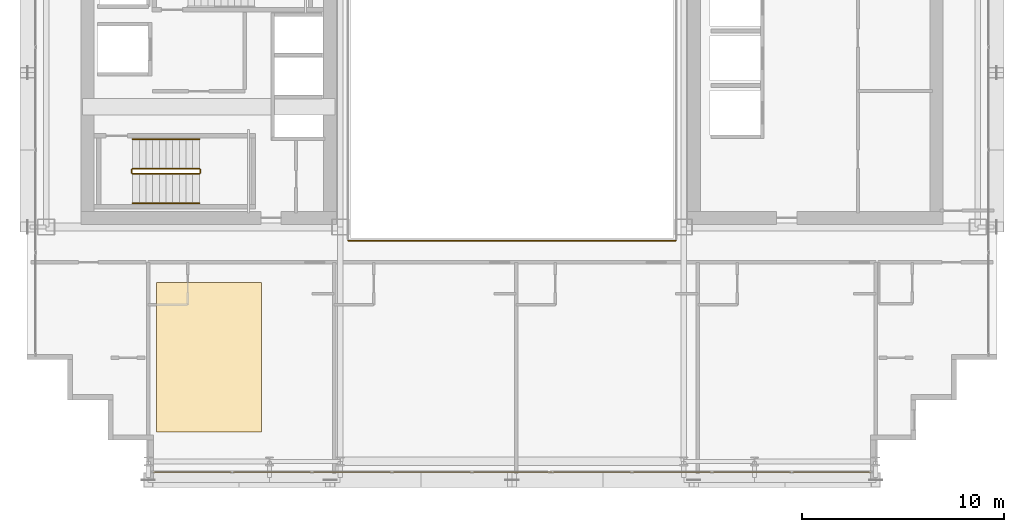
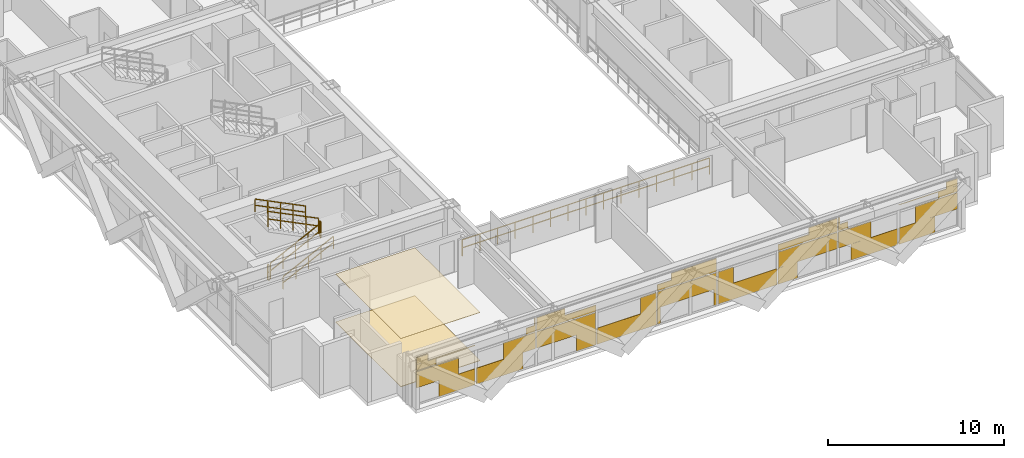
# One storey, part 32 of 35: 7 railings, 3 coverings.
"""IFC4 building model written with IfcOpenShell, lengths in metres."""

from ifc_helpers import new_model, si_unit, direction, frame, origin, origin_2d, place, context, subcontext, project, spatial, polyline, rectangle, outline, extrude, material, layer, layer_set, type_object, element, save


model = new_model("IFC4")

# Units and contexts
model_context = context("Model", 3, precision=1e-05, world=origin(), true_north=direction((0.0, 1.0)))
body_context = subcontext(model_context, "Body", "Model", "MODEL_VIEW")
ifc_project = project(units=[si_unit("LENGTHUNIT", "METRE"), si_unit("AREAUNIT", "SQUARE_METRE"), si_unit("VOLUMEUNIT", "CUBIC_METRE"), si_unit("PLANEANGLEUNIT", "RADIAN"), si_unit("MASSUNIT", "GRAM", prefix="KILO")], contexts=[model_context])

# Site, building, storey
site_placement = place(None, origin())
site = spatial("IfcSite", under=ifc_project, at=site_placement, CompositionType="ELEMENT")
building_placement = place(site_placement, origin())
building = spatial("IfcBuilding", under=site, at=building_placement, Name="Ocotamira Hotel", CompositionType="ELEMENT")
storey_placement = place(building_placement, frame((0.0, 0.0, 115.199951171875)))
storey = spatial("IfcBuildingStorey", under=building, at=storey_placement, Name="L28", CompositionType="ELEMENT", Elevation=115.199951171875)

# Coverings
ifc_material_1 = material(Name="Perforated acoustic gypsum ceiling board", Category="gypsum")
ifc_layer_1 = layer(ifc_material_1, 0.02490234375)
ifc_layer_set_1 = layer_set([ifc_layer_1], Name="Perforated acoustic gypsum ceiling board")
covering_type_1 = type_object("IfcCoveringType", Name="COV-CEIL-25", PredefinedType="CEILING", material=ifc_layer_set_1)
covering_1_placement = place(storey_placement, frame((0.0, 0.0, 3.3349609375)))
element("IfcCovering", 1, at=covering_1_placement, inside=storey, type_object=covering_type_1, Name="L28 Acoustic Ceiling", PredefinedType="CEILING", context=body_context, shape_type="SweptSolid", body=[
    extrude(outline(polyline([(14.39990234375, 4.39990234375), (19.60009765625, 4.39990234375), (19.60009765625, 11.800048828125), (14.39990234375, 11.800048828125), (14.39990234375, 4.39990234375)])), origin(), (0.0, 0.0, 1.0), 0.025146484375),
])
ifc_material_2 = material(Name="Honed desert travertine stone flooring", Category="masonry")
ifc_layer_2 = layer(ifc_material_2, 0.030029296875)
ifc_layer_set_2 = layer_set([ifc_layer_2], Name="Honed desert travertine stone flooring")
covering_type_2 = type_object("IfcCoveringType", Name="COV-FLOR-30", PredefinedType="FLOORING", material=ifc_layer_set_2)
covering_2_placement = place(storey_placement, origin())
element("IfcCovering", 2, at=covering_2_placement, inside=storey, type_object=covering_type_2, Name="L28 Honed Stone Floor Finish", PredefinedType="FLOORING", context=body_context, shape_type="SweptSolid", body=[
    extrude(outline(polyline([(14.39990234375, 4.39990234375), (19.60009765625, 4.39990234375), (19.60009765625, 11.800048828125), (14.39990234375, 11.800048828125), (14.39990234375, 4.39990234375)])), origin(), (0.0, 0.0, 1.0), 0.030029296875),
])
ifc_material_3 = material(Name="Insulated pale-metal aluminium spandrel panel", Category="aluminium")
ifc_layer_3 = layer(ifc_material_3, 0.044921875)
ifc_layer_set_3 = layer_set([ifc_layer_3], Name="Insulated pale-metal aluminium spandrel panel")
covering_type_3 = type_object("IfcCoveringType", Name="COV-INFILL-45", PredefinedType="CLADDING", material=ifc_layer_set_3)
covering_3_placement = place(storey_placement, origin())
element("IfcCovering", 3, at=covering_3_placement, inside=storey, type_object=covering_type_3, Name="L28 Curtain Wall Infill CW-3 CW-L28-S1", PredefinedType="CLADDING", context=body_context, shape_type="SweptSolid", body=[
    extrude(rectangle(XDim=2.754638671875, YDim=0.044921875, at=origin_2d()), frame((15.65771484375, 2.419921875, 1.1943359375), z_axis=(0.0, 0.0, 1.0), x_axis=(1.0, 0.0, 0.0)), (0.0, 0.0, 1.0), 1.117919921875),
    extrude(rectangle(XDim=2.359619140625, YDim=0.044921875, at=origin_2d()), frame((16.935302734375, 2.419921875, 0.07568359375), z_axis=(0.0, 0.0, 1.0), x_axis=(1.0, 0.0, 0.0)), (0.0, 0.0, 1.0), 1.11767578125),
    extrude(rectangle(XDim=1.262451171875, YDim=0.044921875, at=origin_2d()), frame((14.91162109375, 2.419921875, 2.38818359375), z_axis=(0.0, 0.0, 1.0), x_axis=(1.0, 0.0, 0.0)), (0.0, 0.0, 1.0), 0.3935546875),
    extrude(rectangle(XDim=3.834716796875, YDim=0.044921875, at=origin_2d()), frame((16.19775390625, 2.419921875, 2.78271484375), z_axis=(0.0, 0.0, 1.0), x_axis=(1.0, 0.0, 0.0)), (0.0, 0.0, 1.0), 0.0302734375),
    extrude(rectangle(XDim=0.730224609375, YDim=0.044921875, at=origin_2d()), frame((14.6455078125, 2.419921875, 2.813720703125), z_axis=(0.0, 0.0, 1.0), x_axis=(1.0, 0.0, 0.0)), (0.0, 0.0, 1.0), 0.470703125),
    extrude(rectangle(XDim=3.04833984375, YDim=0.044921875, at=origin_2d()), frame((19.72021484375, 2.419921875, 0.07568359375), z_axis=(0.0, 0.0, 1.0), x_axis=(1.0, 0.0, 0.0)), (0.0, 0.0, 1.0), 1.11767578125),
    extrude(rectangle(XDim=2.105712890625, YDim=0.044921875, at=origin_2d()), frame((21.017578125, 2.419921875, 1.1943359375), z_axis=(0.0, 0.0, 1.0), x_axis=(1.0, 0.0, 0.0)), (0.0, 0.0, 1.0), 1.117919921875),
    extrude(rectangle(XDim=0.613525390625, YDim=0.044921875, at=origin_2d()), frame((21.763916015625, 2.419921875, 2.387939453125), z_axis=(0.0, 0.0, 1.0), x_axis=(1.0, 0.0, 0.0)), (0.0, 0.0, 1.0), 0.4248046875),
    extrude(rectangle(XDim=0.081298828125, YDim=0.044921875, at=origin_2d()), frame((22.02978515625, 2.419921875, 2.813720703125), z_axis=(0.0, 0.0, 1.0), x_axis=(1.0, 0.0, 0.0)), (0.0, 0.0, 1.0), 0.470703125),
    extrude(rectangle(XDim=3.87451171875, YDim=0.044921875, at=origin_2d()), frame((24.0888671875, 2.419921875, 1.1943359375), z_axis=(0.0, 0.0, 1.0), x_axis=(1.0, 0.0, 0.0)), (0.0, 0.0, 1.0), 1.117919921875),
    extrude(rectangle(XDim=1.270751953125, YDim=0.044921875, at=origin_2d()), frame((25.390869140625, 2.419921875, 0.07568359375), z_axis=(0.0, 0.0, 1.0), x_axis=(1.0, 0.0, 0.0)), (0.0, 0.0, 1.0), 1.11767578125),
    extrude(rectangle(XDim=3.87451171875, YDim=0.044921875, at=origin_2d()), frame((24.0888671875, 2.419921875, 2.387939453125), z_axis=(0.0, 0.0, 1.0), x_axis=(1.0, 0.0, 0.0)), (0.0, 0.0, 1.0), 0.4248046875),
    extrude(rectangle(XDim=1.859130859375, YDim=0.044921875, at=origin_2d()), frame((23.081298828125, 2.419921875, 2.813720703125), z_axis=(0.0, 0.0, 1.0), x_axis=(1.0, 0.0, 0.0)), (0.0, 0.0, 1.0), 0.470703125),
    extrude(rectangle(XDim=3.87451171875, YDim=0.044921875, at=origin_2d()), frame((28.04443359375, 2.419921875, 0.07568359375), z_axis=(0.0, 0.0, 1.0), x_axis=(1.0, 0.0, 0.0)), (0.0, 0.0, 1.0), 1.11767578125),
    extrude(rectangle(XDim=1.016845703125, YDim=0.044921875, at=origin_2d()), frame((29.473388671875, 2.419921875, 1.1943359375), z_axis=(0.0, 0.0, 1.0), x_axis=(1.0, 0.0, 0.0)), (0.0, 0.0, 1.0), 1.117919921875),
    extrude(rectangle(XDim=0.181884765625, YDim=0.044921875, at=origin_2d()), frame((30.153564453125, 2.419921875, 0.07568359375), z_axis=(0.0, 0.0, 1.0), x_axis=(1.0, 0.0, 0.0)), (0.0, 0.0, 1.0), 1.11767578125),
    extrude(rectangle(XDim=3.87451171875, YDim=0.044921875, at=origin_2d()), frame((32.0, 2.419921875, 1.1943359375), z_axis=(0.0, 0.0, 1.0), x_axis=(1.0, 0.0, 0.0)), (0.0, 0.0, 1.0), 1.117919921875),
    extrude(rectangle(XDim=0.181884765625, YDim=0.044921875, at=origin_2d()), frame((33.846435546875, 2.419921875, 0.07568359375), z_axis=(0.0, 0.0, 1.0), x_axis=(1.0, 0.0, 0.0)), (0.0, 0.0, 1.0), 1.11767578125),
    extrude(rectangle(XDim=3.87451171875, YDim=0.044921875, at=origin_2d()), frame((32.0, 2.419921875, 2.387939453125), z_axis=(0.0, 0.0, 1.0), x_axis=(1.0, 0.0, 0.0)), (0.0, 0.0, 1.0), 0.4248046875),
    extrude(rectangle(XDim=2.947998046875, YDim=0.044921875, at=origin_2d()), frame((32.46337890625, 2.419921875, 2.813720703125), z_axis=(0.0, 0.0, 1.0), x_axis=(1.0, 0.0, 0.0)), (0.0, 0.0, 1.0), 0.470703125),
    extrude(rectangle(XDim=3.87451171875, YDim=0.044921875, at=origin_2d()), frame((35.95556640625, 2.419921875, 0.07568359375), z_axis=(0.0, 0.0, 1.0), x_axis=(1.0, 0.0, 0.0)), (0.0, 0.0, 1.0), 1.11767578125),
    extrude(rectangle(XDim=1.016845703125, YDim=0.044921875, at=origin_2d()), frame((34.526611328125, 2.419921875, 1.1943359375), z_axis=(0.0, 0.0, 1.0), x_axis=(1.0, 0.0, 0.0)), (0.0, 0.0, 1.0), 1.117919921875),
    extrude(rectangle(XDim=1.270751953125, YDim=0.044921875, at=origin_2d()), frame((38.609130859375, 2.419921875, 0.07568359375), z_axis=(0.0, 0.0, 1.0), x_axis=(1.0, 0.0, 0.0)), (0.0, 0.0, 1.0), 1.11767578125),
    extrude(rectangle(XDim=3.87451171875, YDim=0.044921875, at=origin_2d()), frame((39.9111328125, 2.419921875, 1.1943359375), z_axis=(0.0, 0.0, 1.0), x_axis=(1.0, 0.0, 0.0)), (0.0, 0.0, 1.0), 1.117919921875),
    extrude(rectangle(XDim=3.87451171875, YDim=0.044921875, at=origin_2d()), frame((39.9111328125, 2.419921875, 2.387939453125), z_axis=(0.0, 0.0, 1.0), x_axis=(1.0, 0.0, 0.0)), (0.0, 0.0, 1.0), 0.4248046875),
    extrude(rectangle(XDim=1.859130859375, YDim=0.044921875, at=origin_2d()), frame((40.918701171875, 2.419921875, 2.813720703125), z_axis=(0.0, 0.0, 1.0), x_axis=(1.0, 0.0, 0.0)), (0.0, 0.0, 1.0), 0.470703125),
    extrude(rectangle(XDim=2.105712890625, YDim=0.044921875, at=origin_2d()), frame((42.982421875, 2.419921875, 1.1943359375), z_axis=(0.0, 0.0, 1.0), x_axis=(1.0, 0.0, 0.0)), (0.0, 0.0, 1.0), 1.117919921875),
    extrude(rectangle(XDim=3.04833984375, YDim=0.044921875, at=origin_2d()), frame((44.27978515625, 2.419921875, 0.07568359375), z_axis=(0.0, 0.0, 1.0), x_axis=(1.0, 0.0, 0.0)), (0.0, 0.0, 1.0), 1.11767578125),
    extrude(rectangle(XDim=0.613525390625, YDim=0.044921875, at=origin_2d()), frame((42.236083984375, 2.419921875, 2.387939453125), z_axis=(0.0, 0.0, 1.0), x_axis=(1.0, 0.0, 0.0)), (0.0, 0.0, 1.0), 0.4248046875),
    extrude(rectangle(XDim=0.081298828125, YDim=0.044921875, at=origin_2d()), frame((41.97021484375, 2.419921875, 2.813720703125), z_axis=(0.0, 0.0, 1.0), x_axis=(1.0, 0.0, 0.0)), (0.0, 0.0, 1.0), 0.470703125),
    extrude(rectangle(XDim=2.359619140625, YDim=0.044921875, at=origin_2d()), frame((47.064697265625, 2.419921875, 0.07568359375), z_axis=(0.0, 0.0, 1.0), x_axis=(1.0, 0.0, 0.0)), (0.0, 0.0, 1.0), 1.11767578125),
    extrude(rectangle(XDim=2.754638671875, YDim=0.044921875, at=origin_2d()), frame((48.34228515625, 2.419921875, 1.1943359375), z_axis=(0.0, 0.0, 1.0), x_axis=(1.0, 0.0, 0.0)), (0.0, 0.0, 1.0), 1.117919921875),
    extrude(rectangle(XDim=3.834716796875, YDim=0.044921875, at=origin_2d()), frame((47.80224609375, 2.419921875, 2.78271484375), z_axis=(0.0, 0.0, 1.0), x_axis=(1.0, 0.0, 0.0)), (0.0, 0.0, 1.0), 0.0302734375),
    extrude(rectangle(XDim=1.262451171875, YDim=0.044921875, at=origin_2d()), frame((49.08837890625, 2.419921875, 2.38818359375), z_axis=(0.0, 0.0, 1.0), x_axis=(1.0, 0.0, 0.0)), (0.0, 0.0, 1.0), 0.3935546875),
    extrude(rectangle(XDim=0.730224609375, YDim=0.044921875, at=origin_2d()), frame((49.3544921875, 2.419921875, 2.813720703125), z_axis=(0.0, 0.0, 1.0), x_axis=(1.0, 0.0, 0.0)), (0.0, 0.0, 1.0), 0.470703125),
])

# Railings
ifc_material_4 = material(Name="Painted steel stair guardrail", Category="steel")
railing_type_1 = type_object("IfcRailingType", Name="RL-EDGE-1150", PredefinedType="GUARDRAIL", material=ifc_material_4)
railing_1_placement = place(storey_placement, frame((23.89990234375, 13.8798828125, 0.0)))
element("IfcRailing", 4, at=railing_1_placement, inside=storey, type_object=railing_type_1, Name="L28 Central Atrium Edge Guardrail S", PredefinedType="GUARDRAIL", context=body_context, shape_type="SweptSolid", body=[
    extrude(rectangle(XDim=0.048095703125, YDim=0.048095703125, at=origin_2d()), frame((0.0, 0.0, 1.1259765625), z_axis=(1.0, 0.0, 0.0), x_axis=(0.0, 1.0, 0.0)), (0.0, 0.0, 1.0), 16.2001953125),
    extrude(rectangle(XDim=0.048095703125, YDim=0.048095703125, at=origin_2d()), frame((0.0, 0.0, 0.574951171875), z_axis=(1.0, 0.0, 0.0), x_axis=(0.0, 1.0, 0.0)), (0.0, 0.0, 1.0), 16.2001953125),
    extrude(rectangle(XDim=0.0419921875, YDim=0.0419921875, at=origin_2d()), origin(), (0.0, 0.0, 1.0), 1.101806640625),
    extrude(rectangle(XDim=0.0419921875, YDim=0.0419921875, at=origin_2d()), frame((1.1572265625, 0.0, 0.0)), (0.0, 0.0, 1.0), 1.101806640625),
    extrude(rectangle(XDim=0.0419921875, YDim=0.0419921875, at=origin_2d()), frame((2.314208984375, 0.0, 0.0)), (0.0, 0.0, 1.0), 1.101806640625),
    extrude(rectangle(XDim=0.0419921875, YDim=0.0419921875, at=origin_2d()), frame((3.471435546875, 0.0, 0.0)), (0.0, 0.0, 1.0), 1.101806640625),
    extrude(rectangle(XDim=0.0419921875, YDim=0.0419921875, at=origin_2d()), frame((4.628662109375, 0.0, 0.0)), (0.0, 0.0, 1.0), 1.101806640625),
    extrude(rectangle(XDim=0.0419921875, YDim=0.0419921875, at=origin_2d()), frame((5.785888671875, 0.0, 0.0)), (0.0, 0.0, 1.0), 1.101806640625),
    extrude(rectangle(XDim=0.0419921875, YDim=0.0419921875, at=origin_2d()), frame((6.94287109375, 0.0, 0.0)), (0.0, 0.0, 1.0), 1.101806640625),
    extrude(rectangle(XDim=0.0419921875, YDim=0.0419921875, at=origin_2d()), frame((8.10009765625, 0.0, 0.0)), (0.0, 0.0, 1.0), 1.101806640625),
    extrude(rectangle(XDim=0.0419921875, YDim=0.0419921875, at=origin_2d()), frame((9.25732421875, 0.0, 0.0)), (0.0, 0.0, 1.0), 1.101806640625),
    extrude(rectangle(XDim=0.0419921875, YDim=0.0419921875, at=origin_2d()), frame((10.414306640625, 0.0, 0.0)), (0.0, 0.0, 1.0), 1.101806640625),
    extrude(rectangle(XDim=0.0419921875, YDim=0.0419921875, at=origin_2d()), frame((11.571533203125, 0.0, 0.0)), (0.0, 0.0, 1.0), 1.101806640625),
    extrude(rectangle(XDim=0.0419921875, YDim=0.0419921875, at=origin_2d()), frame((12.728759765625, 0.0, 0.0)), (0.0, 0.0, 1.0), 1.101806640625),
    extrude(rectangle(XDim=0.0419921875, YDim=0.0419921875, at=origin_2d()), frame((13.885986328125, 0.0, 0.0)), (0.0, 0.0, 1.0), 1.101806640625),
    extrude(rectangle(XDim=0.0419921875, YDim=0.0419921875, at=origin_2d()), frame((15.04296875, 0.0, 0.0)), (0.0, 0.0, 1.0), 1.101806640625),
    extrude(rectangle(XDim=0.0419921875, YDim=0.0419921875, at=origin_2d()), frame((16.2001953125, 0.0, 0.0)), (0.0, 0.0, 1.0), 1.101806640625),
])
ifc_material_5 = material(Name="Brushed stainless steel handrail", Category="steel")
railing_type_2 = type_object("IfcRailingType", Name="RL-HAND-900", PredefinedType="HANDRAIL", material=ifc_material_5)
railing_2_placement = place(storey_placement, frame((13.22998046875, 15.719970703125, 0.327392578125)))
element("IfcRailing", 5, at=railing_2_placement, inside=storey, type_object=railing_type_2, Name="L28 ST-1 stair handrail 1", PredefinedType="HANDRAIL", context=body_context, shape_type="SweptSolid", body=[
    extrude(rectangle(XDim=0.048095703125, YDim=0.048095703125, at=origin_2d()), frame((0.0, 0.0, 0.8759765625), z_axis=(0.895920123917, 0.0, 0.444215186098), x_axis=(0.0, 1.0, 0.0)), (0.0, 0.0, 1.0), 3.683349609375),
    extrude(rectangle(XDim=0.048095703125, YDim=0.048095703125, at=origin_2d()), frame((0.0, 0.0, 0.449951171875), z_axis=(0.895920123917, 0.0, 0.444215186098), x_axis=(0.0, 1.0, 0.0)), (0.0, 0.0, 1.0), 3.683349609375),
    extrude(rectangle(XDim=0.0419921875, YDim=0.0419921875, at=origin_2d()), origin(), (0.0, 0.0, 1.0), 0.851806640625),
    extrude(rectangle(XDim=0.0419921875, YDim=0.0419921875, at=origin_2d()), frame((0.824951171875, 0.0, 0.4091796875)), (0.0, 0.0, 1.0), 0.851806640625),
    extrude(rectangle(XDim=0.0419921875, YDim=0.0419921875, at=origin_2d()), frame((1.64990234375, 0.0, 0.818115234375)), (0.0, 0.0, 1.0), 0.851806640625),
    extrude(rectangle(XDim=0.0419921875, YDim=0.0419921875, at=origin_2d()), frame((2.47509765625, 0.0, 1.22705078125)), (0.0, 0.0, 1.0), 0.851806640625),
    extrude(rectangle(XDim=0.0419921875, YDim=0.0419921875, at=origin_2d()), frame((3.300048828125, 0.0, 1.63623046875)), (0.0, 0.0, 1.0), 0.851806640625),
])
railing_3_placement = place(storey_placement, frame((16.530029296875, 18.89990234375, 2.12744140625)))
element("IfcRailing", 6, at=railing_3_placement, inside=storey, type_object=railing_type_2, Name="L28 ST-1 stair handrail 2", PredefinedType="HANDRAIL", context=body_context, shape_type="SweptSolid", body=[
    extrude(rectangle(XDim=0.048095703125, YDim=0.048095703125, at=origin_2d()), frame((0.0, 0.0, 0.8759765625), z_axis=(-0.895920123917, 0.0, 0.444215186098), x_axis=(0.0, -1.0, 0.0)), (0.0, 0.0, 1.0), 3.683349609375),
    extrude(rectangle(XDim=0.048095703125, YDim=0.048095703125, at=origin_2d()), frame((0.0, 0.0, 0.449951171875), z_axis=(-0.895920123917, 0.0, 0.444215186098), x_axis=(0.0, -1.0, 0.0)), (0.0, 0.0, 1.0), 3.683349609375),
    extrude(rectangle(XDim=0.0419921875, YDim=0.0419921875, at=origin_2d()), origin(), (0.0, 0.0, 1.0), 0.851806640625),
    extrude(rectangle(XDim=0.0419921875, YDim=0.0419921875, at=origin_2d()), frame((-0.824951171875, 0.0, 0.4091796875)), (0.0, 0.0, 1.0), 0.851806640625),
    extrude(rectangle(XDim=0.0419921875, YDim=0.0419921875, at=origin_2d()), frame((-1.64990234375, 0.0, 0.818115234375)), (0.0, 0.0, 1.0), 0.851806640625),
    extrude(rectangle(XDim=0.0419921875, YDim=0.0419921875, at=origin_2d()), frame((-2.47509765625, 0.0, 1.22705078125)), (0.0, 0.0, 1.0), 0.851806640625),
    extrude(rectangle(XDim=0.0419921875, YDim=0.0419921875, at=origin_2d()), frame((-3.300048828125, 0.0, 1.63623046875)), (0.0, 0.0, 1.0), 0.851806640625),
])
railing_type_3 = type_object("IfcRailingType", Name="RL-STAIR-1100", PredefinedType="GUARDRAIL", material=ifc_material_4)
railing_4_placement = place(storey_placement, frame((13.22998046875, 17.179931640625, 0.16357421875)))
element("IfcRailing", 7, at=railing_4_placement, inside=storey, type_object=railing_type_3, Name="L28 ST-1 stair guard 1", PredefinedType="GUARDRAIL", context=body_context, shape_type="SweptSolid", body=[
    extrude(rectangle(XDim=0.048095703125, YDim=0.048095703125, at=origin_2d()), frame((0.0, 0.0, 1.076171875), z_axis=(0.895893744519, 0.0, 0.4442683857), x_axis=(0.0, 1.0, 0.0)), (0.0, 0.0, 1.0), 3.68359375),
    extrude(rectangle(XDim=0.048095703125, YDim=0.048095703125, at=origin_2d()), frame((0.0, 0.0, 0.550048828125), z_axis=(0.895893744519, 0.0, 0.4442683857), x_axis=(0.0, 1.0, 0.0)), (0.0, 0.0, 1.0), 3.68359375),
    extrude(rectangle(XDim=0.0419921875, YDim=0.0419921875, at=origin_2d()), origin(), (0.0, 0.0, 1.0), 1.052001953125),
    extrude(rectangle(XDim=0.0419921875, YDim=0.0419921875, at=origin_2d()), frame((0.824951171875, 0.0, 0.4091796875)), (0.0, 0.0, 1.0), 1.052001953125),
    extrude(rectangle(XDim=0.0419921875, YDim=0.0419921875, at=origin_2d()), frame((1.64990234375, 0.0, 0.818359375)), (0.0, 0.0, 1.0), 1.052001953125),
    extrude(rectangle(XDim=0.0419921875, YDim=0.0419921875, at=origin_2d()), frame((2.47509765625, 0.0, 1.227294921875)), (0.0, 0.0, 1.0), 1.052001953125),
    extrude(rectangle(XDim=0.0419921875, YDim=0.0419921875, at=origin_2d()), frame((3.300048828125, 0.0, 1.636474609375)), (0.0, 0.0, 1.0), 1.052001953125),
])
railing_5_placement = place(storey_placement, frame((16.580078125, 17.22998046875, 1.800048828125)))
element("IfcRailing", 8, at=railing_5_placement, inside=storey, type_object=railing_type_3, Name="L28 ST-1 stair guard 2", PredefinedType="GUARDRAIL", context=body_context, shape_type="SweptSolid", body=[
    extrude(rectangle(XDim=0.048095703125, YDim=0.048095703125, at=origin_2d()), frame((0.0, 0.0, 1.076171875), z_axis=(0.0, 1.0, 0.0), x_axis=(-1.0, 0.0, 0.0)), (0.0, 0.0, 1.0), 0.159912109375),
    extrude(rectangle(XDim=0.048095703125, YDim=0.048095703125, at=origin_2d()), frame((0.0, 0.0, 0.550048828125), z_axis=(0.0, 1.0, 0.0), x_axis=(-1.0, 0.0, 0.0)), (0.0, 0.0, 1.0), 0.159912109375),
    extrude(rectangle(XDim=0.0419921875, YDim=0.0419921875, at=origin_2d()), origin(), (0.0, 0.0, 1.0), 1.052001953125),
    extrude(rectangle(XDim=0.0419921875, YDim=0.0419921875, at=origin_2d()), frame((0.0, 0.159912109375, 0.0)), (0.0, 0.0, 1.0), 1.052001953125),
])
railing_6_placement = place(storey_placement, frame((16.530029296875, 17.43994140625, 1.963623046875)))
element("IfcRailing", 9, at=railing_6_placement, inside=storey, type_object=railing_type_3, Name="L28 ST-1 stair guard 3", PredefinedType="GUARDRAIL", context=body_context, shape_type="SweptSolid", body=[
    extrude(rectangle(XDim=0.048095703125, YDim=0.048095703125, at=origin_2d()), frame((0.0, 0.0, 1.076171875), z_axis=(-0.895893744519, 0.0, 0.4442683857), x_axis=(0.0, -1.0, 0.0)), (0.0, 0.0, 1.0), 3.68359375),
    extrude(rectangle(XDim=0.048095703125, YDim=0.048095703125, at=origin_2d()), frame((0.0, 0.0, 0.550048828125), z_axis=(-0.895893744519, 0.0, 0.4442683857), x_axis=(0.0, -1.0, 0.0)), (0.0, 0.0, 1.0), 3.68359375),
    extrude(rectangle(XDim=0.0419921875, YDim=0.0419921875, at=origin_2d()), origin(), (0.0, 0.0, 1.0), 1.052001953125),
    extrude(rectangle(XDim=0.0419921875, YDim=0.0419921875, at=origin_2d()), frame((-0.824951171875, 0.0, 0.4091796875)), (0.0, 0.0, 1.0), 1.052001953125),
    extrude(rectangle(XDim=0.0419921875, YDim=0.0419921875, at=origin_2d()), frame((-1.64990234375, 0.0, 0.818359375)), (0.0, 0.0, 1.0), 1.052001953125),
    extrude(rectangle(XDim=0.0419921875, YDim=0.0419921875, at=origin_2d()), frame((-2.47509765625, 0.0, 1.227294921875)), (0.0, 0.0, 1.0), 1.052001953125),
    extrude(rectangle(XDim=0.0419921875, YDim=0.0419921875, at=origin_2d()), frame((-3.300048828125, 0.0, 1.636474609375)), (0.0, 0.0, 1.0), 1.052001953125),
])
railing_7_placement = place(storey_placement, frame((13.179931640625, 17.22998046875, 0.0)))
element("IfcRailing", 10, at=railing_7_placement, inside=storey, type_object=railing_type_3, Name="L28 ST-1 stair guard 4", PredefinedType="GUARDRAIL", context=body_context, shape_type="SweptSolid", body=[
    extrude(rectangle(XDim=0.048095703125, YDim=0.048095703125, at=origin_2d()), frame((0.0, 0.0, 1.076171875), z_axis=(0.0, 1.0, 0.0), x_axis=(-1.0, 0.0, 0.0)), (0.0, 0.0, 1.0), 0.159912109375),
    extrude(rectangle(XDim=0.048095703125, YDim=0.048095703125, at=origin_2d()), frame((0.0, 0.0, 0.550048828125), z_axis=(0.0, 1.0, 0.0), x_axis=(-1.0, 0.0, 0.0)), (0.0, 0.0, 1.0), 0.159912109375),
    extrude(rectangle(XDim=0.0419921875, YDim=0.0419921875, at=origin_2d()), origin(), (0.0, 0.0, 1.0), 1.052001953125),
    extrude(rectangle(XDim=0.0419921875, YDim=0.0419921875, at=origin_2d()), frame((0.0, 0.159912109375, 0.0)), (0.0, 0.0, 1.0), 1.052001953125),
])

save(model, "model.ifc")
